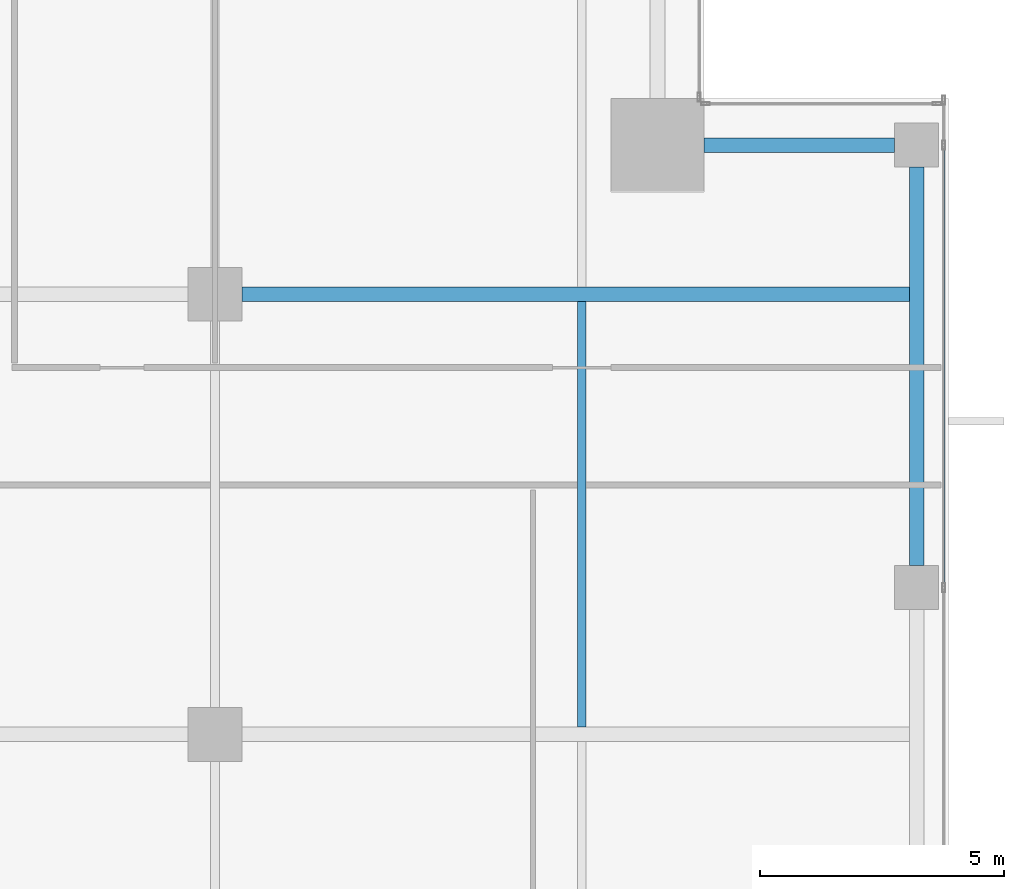
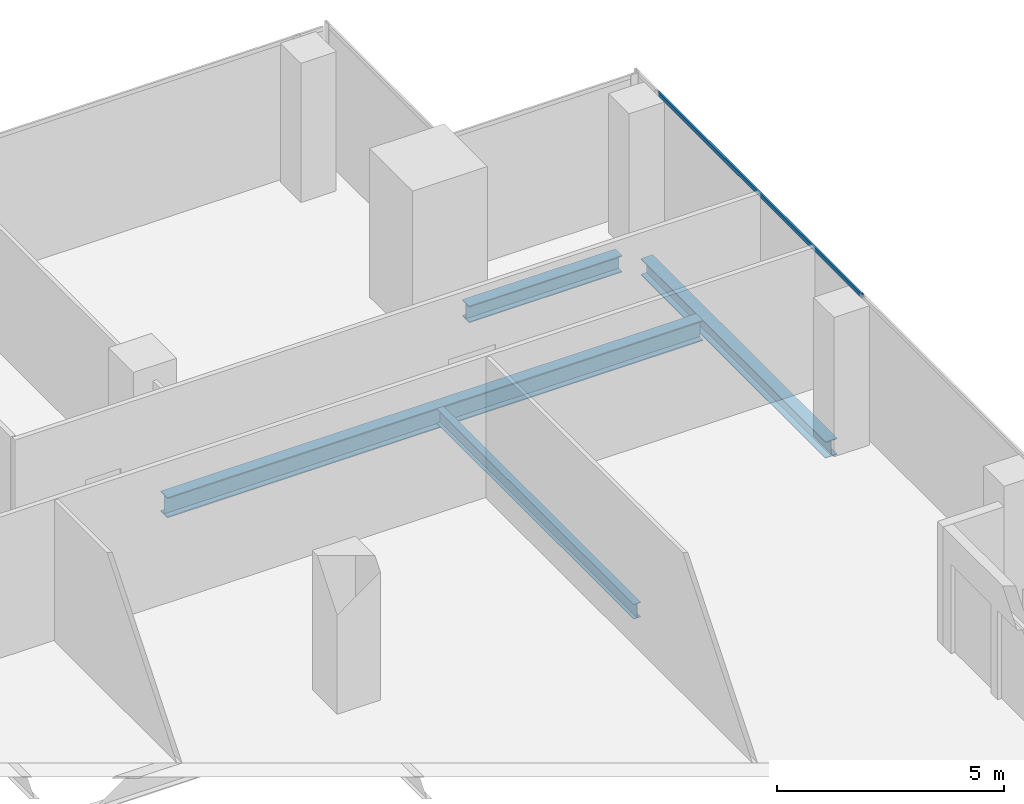
# One storey, part 22 of 36: 4 beams, 1 member, 1 element without a shape of its own.
"""IFC4 building model written with IfcOpenShell, lengths in metres."""

from ifc_helpers import new_model, si_unit, direction, frame, origin, origin_2d, place, context, subcontext, project, spatial, hollow_rectangle, i_section, extrude, source, transform, mapped, material, material_profile, profile_set, type_object, element, aggregate, save


model = new_model("IFC4")

# Units and contexts
model_context = context("Model", 3, precision=1e-05, world=origin(), true_north=direction((0.0, 1.0)))
body_context = subcontext(model_context, "Body", "Model", "MODEL_VIEW")
ifc_project = project(units=[si_unit("LENGTHUNIT", "METRE"), si_unit("AREAUNIT", "SQUARE_METRE"), si_unit("VOLUMEUNIT", "CUBIC_METRE"), si_unit("PLANEANGLEUNIT", "RADIAN"), si_unit("MASSUNIT", "GRAM", prefix="KILO")], contexts=[model_context])

# Site, building, storey
site_placement = place(None, origin())
site = spatial("IfcSite", under=ifc_project, at=site_placement, CompositionType="ELEMENT")
building_placement = place(site_placement, origin())
building = spatial("IfcBuilding", under=site, at=building_placement, Name="Khomas Fold Tower", CompositionType="ELEMENT")
storey_placement = place(building_placement, frame((0.0, 0.0, 226.199951171875)))
storey = spatial("IfcBuildingStorey", under=building, at=storey_placement, Name="L50", CompositionType="ELEMENT", Elevation=226.199951171875)

# Beams
ifc_material_1 = material(Name="Steel S355", Category="steel")
ifc_material_profile_1 = material_profile(ifc_material_1, i_section(OverallWidth=0.179931640625, OverallDepth=0.39990234375, WebThickness=0.008544921875, FlangeThickness=0.013427734375, at=origin_2d()), Name="IPE 400")
ifc_profile_set_1 = profile_set([ifc_material_profile_1], Name="Steel S355")
beam_type_1 = type_object("IfcBeamType", Name="IPE 400 beam JB3", PredefinedType="BEAM", material=ifc_profile_set_1)
shared_shape_1 = source(origin(), body_context, "Body", "SweptSolid", [
    extrude(i_section(OverallWidth=0.179931640625, OverallDepth=0.39990234375, WebThickness=0.008544921875, FlangeThickness=0.013427734375, at=origin_2d()), origin(), (0.0, 0.0, 1.0), 8.7001953125),
])
beam_1_placement = place(storey_placement, frame((42.0, 31.64990234375, -0.449951171875), z_axis=(0.0, 1.0, 0.0), x_axis=(-1.0, 0.0, 0.0)))
element("IfcBeam", 1, at=beam_1_placement, inside=storey, type_object=beam_type_1, Name="JB3", PredefinedType="BEAM", context=body_context, shape_type="MappedRepresentation", body=[
    mapped(shared_shape_1, transform((0.0, 0.0, 0.0))),
])
ifc_material_2 = material(Name="Steel S355", Category="steel")
ifc_material_profile_2 = material_profile(ifc_material_2, i_section(OverallWidth=0.300048828125, OverallDepth=0.449951171875, WebThickness=0.013916015625, FlangeThickness=0.02587890625, at=origin_2d()), Name="HE 450 B")
ifc_profile_set_2 = profile_set([ifc_material_profile_2], Name="Steel S355")
beam_type_2 = type_object("IfcBeamType", Name="HE 450 B spandrel SB4", PredefinedType="SPANDREL", material=ifc_profile_set_2)
shared_shape_2 = source(origin(), body_context, "Body", "SweptSolid", [
    extrude(i_section(OverallWidth=0.300048828125, OverallDepth=0.449951171875, WebThickness=0.013916015625, FlangeThickness=0.02587890625, at=origin_2d()), origin(), (0.0, 0.0, 1.0), 8.150146484375),
])
beam_2_placement = place(storey_placement, frame((48.85009765625, 34.949951171875, -0.474853515625), z_axis=(0.0, 1.0, 0.0), x_axis=(-1.0, 0.0, 0.0)))
element("IfcBeam", 2, at=beam_2_placement, inside=storey, type_object=beam_type_2, Name="SB4", PredefinedType="SPANDREL", context=body_context, shape_type="MappedRepresentation", body=[
    mapped(shared_shape_2, transform((0.0, 0.0, 0.0))),
])
shared_shape_3 = source(origin(), body_context, "Body", "SweptSolid", [
    extrude(i_section(OverallWidth=0.300048828125, OverallDepth=0.449951171875, WebThickness=0.013916015625, FlangeThickness=0.02587890625, at=origin_2d()), origin(), (0.0, 0.0, 1.0), 3.89990234375),
])
beam_3_placement = place(storey_placement, frame((44.5, 43.550048828125, -0.474853515625), z_axis=(1.0, 0.0, 0.0), x_axis=(0.0, 1.0, 0.0)))
element("IfcBeam", 3, at=beam_3_placement, inside=storey, type_object=beam_type_2, Name="SB4", PredefinedType="SPANDREL", context=body_context, shape_type="MappedRepresentation", body=[
    mapped(shared_shape_3, transform((0.0, 0.0, 0.0))),
])
ifc_material_3 = material(Name="Steel S355", Category="steel")
ifc_material_profile_3 = material_profile(ifc_material_3, i_section(OverallWidth=0.300048828125, OverallDepth=0.550048828125, WebThickness=0.014892578125, FlangeThickness=0.029052734375, at=origin_2d()), Name="HE 550 B")
ifc_profile_set_3 = profile_set([ifc_material_profile_3], Name="Steel S355")
beam_type_3 = type_object("IfcBeamType", Name="HE 550 B beam GB4", PredefinedType="BEAM", material=ifc_profile_set_3)
shared_shape_4 = source(origin(), body_context, "Body", "SweptSolid", [
    extrude(i_section(OverallWidth=0.300048828125, OverallDepth=0.550048828125, WebThickness=0.014892578125, FlangeThickness=0.029052734375, at=origin_2d()), origin(), (0.0, 0.0, 1.0), 13.64990234375),
])
beam_4_placement = place(storey_placement, frame((35.050048828125, 40.5, -0.52490234375), z_axis=(1.0, 0.0, 0.0), x_axis=(0.0, 1.0, 0.0)))
element("IfcBeam", 4, at=beam_4_placement, inside=storey, type_object=beam_type_3, Name="GB4", PredefinedType="BEAM", context=body_context, shape_type="MappedRepresentation", body=[
    mapped(shared_shape_4, transform((0.0, 0.0, 0.0))),
])

# Curtain wall, member
ifc_material_4 = material(Name="Aluminium framed double glazing", Category="aluminium")
curtain_wall_type = type_object("IfcCurtainWallType", Name="SK-Unitised clear-glass wall, office floors CW2", PredefinedType="NOTDEFINED", material=ifc_material_4)
curtain_wall_placement = place(storey_placement, origin())
curtain_wall = element("IfcCurtainWall", 5, at=curtain_wall_placement, inside=storey, type_object=curtain_wall_type, Name="CW2 run L50 03-1", PredefinedType="NOTDEFINED")
ifc_material_5 = material(Name="Aluminium", Category="aluminium")
ifc_material_profile_4 = material_profile(ifc_material_5, hollow_rectangle(XDim=0.050048828125, YDim=0.110107421875, WallThickness=0.00390625, at=origin_2d()), Name="SK-Unitised clear-glass wall, office floors transom CW2-T")
ifc_profile_set_4 = profile_set([ifc_material_profile_4], Name="Aluminium")
member_type = type_object("IfcMemberType", Name="SK-Unitised clear-glass wall, office floors transom CW2-T", PredefinedType="USERDEFINED", material=ifc_profile_set_4)
shared_shape_5 = source(origin(), body_context, "Body", "SweptSolid", [
    extrude(hollow_rectangle(XDim=0.050048828125, YDim=0.110107421875, WallThickness=0.00390625, at=origin_2d()), origin(), (0.0, 0.0, 1.0), 8.989990234375),
])
member_placement = place(storey_placement, frame((49.39990234375, 34.530029296875, 3.695068359375), z_axis=(0.0, 1.0, 0.0), x_axis=(-1.0, 0.0, 0.0)))
member = element("IfcMember", 6, at=member_placement, type_object=member_type, Name="CW2 transom 3", ObjectType="TRANSOM", PredefinedType="USERDEFINED", context=body_context, shape_type="MappedRepresentation", body=[
    mapped(shared_shape_5, transform((0.0, 0.0, 0.0))),
])
aggregate(curtain_wall, [member])

save(model, "model.ifc")
